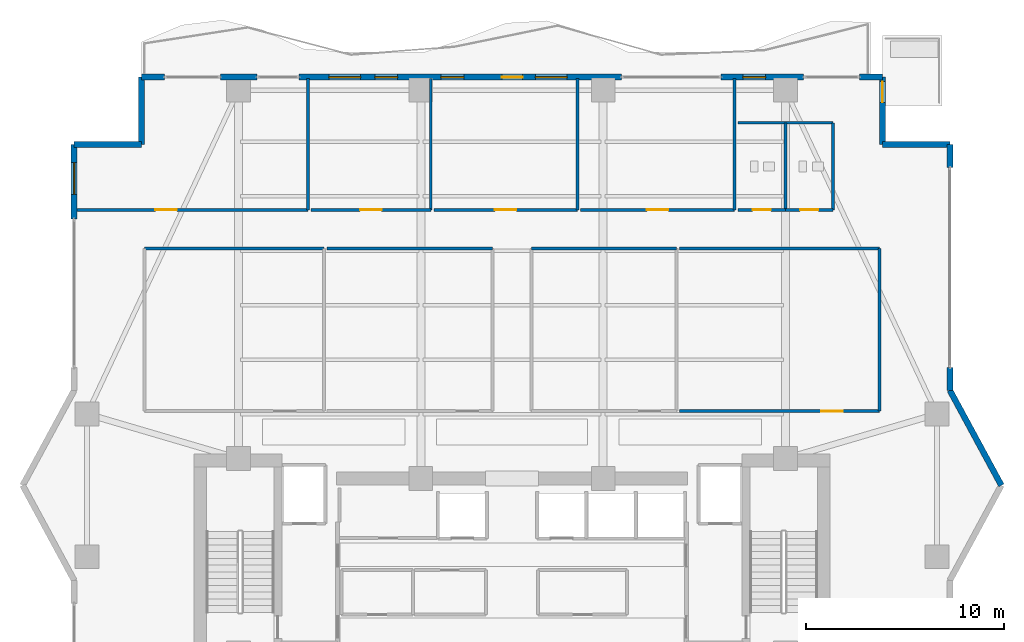
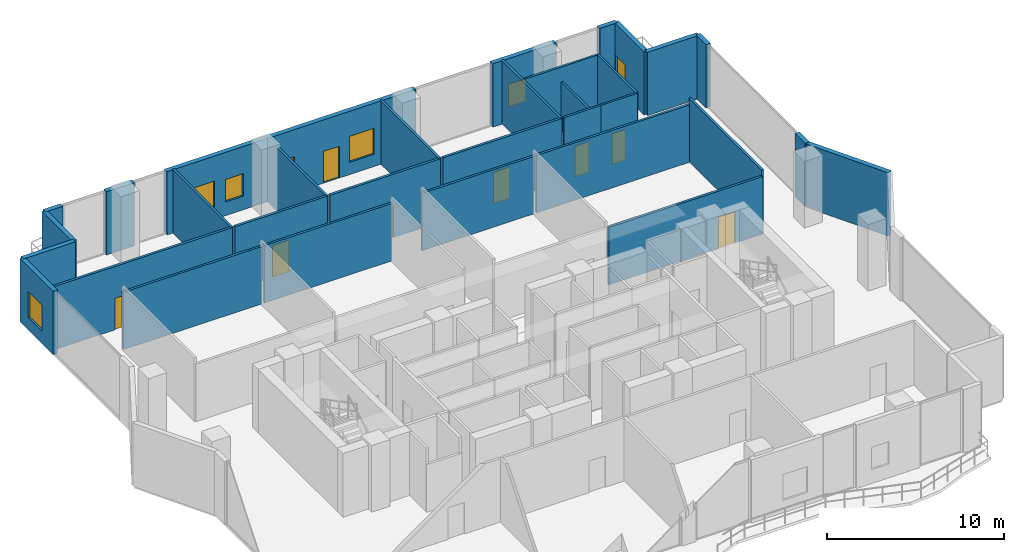
# One storey, part 26 of 31: 32 walls, 9 doors, 6 windows, 15 openings.
"""IFC4 building model written with IfcOpenShell, lengths in metres."""

from ifc_helpers import new_model, si_unit, direction, frame, frame_2d, origin, place, context, subcontext, project, spatial, rectangle, extrude, material, layer, layer_set, type_object, element, fill, save


model = new_model("IFC4")

# Units and contexts
model_context = context("Model", 3, precision=1e-05, world=origin(), true_north=direction((0.0, 1.0)))
body_context = subcontext(model_context, "Body", "Model", "MODEL_VIEW")
ifc_project = project(units=[si_unit("LENGTHUNIT", "METRE"), si_unit("AREAUNIT", "SQUARE_METRE"), si_unit("VOLUMEUNIT", "CUBIC_METRE"), si_unit("PLANEANGLEUNIT", "RADIAN"), si_unit("MASSUNIT", "GRAM", prefix="KILO")], contexts=[model_context])

# Site, building, storey
site_placement = place(None, origin())
site = spatial("IfcSite", under=ifc_project, at=site_placement, CompositionType="ELEMENT")
building_placement = place(site_placement, origin())
building = spatial("IfcBuilding", under=site, at=building_placement, Name="Zuhayl Quay Hotel", CompositionType="ELEMENT")
storey_placement = place(building_placement, frame((0.0, 0.0, 172.800048828125)))
storey = spatial("IfcBuildingStorey", under=building, at=storey_placement, Name="L43", CompositionType="ELEMENT", Elevation=172.800048828125)

# Wall, opening, window
ifc_material_1 = material(Name="Precast concrete C45/55", Category="concrete")
ifc_layer_1 = layer(ifc_material_1, 0.300048828125, Name="Precast concrete C45/55", Category="concrete")
ifc_layer_set_1 = layer_set([ifc_layer_1], Name="Precast concrete C45/55")
wall_type_1 = type_object("IfcWallType", Name="WL_EXT_300", PredefinedType="STANDARD", material=ifc_layer_set_1)
wall_1_placement = place(storey_placement, frame((-22.10009765625, 26.449951171875, 0.0), z_axis=(0.0, 0.0, 1.0), x_axis=(0.0, 1.0, 0.0)))
wall_1 = element("IfcWall", 1, at=wall_1_placement, inside=storey, type_object=wall_type_1, Name="L43 Exterior Precast Wall ENV_L43_E05_EW2", PredefinedType="STANDARD", context=body_context, shape_type="SweptSolid", body=[
    extrude(rectangle(XDim=3.75, YDim=0.300048828125, at=frame_2d((1.875, 0.0))), origin(), (0.0, 0.0, 1.0), 4.3798828125),
])
opening_1_placement = place(wall_1_placement, frame((1.239990234375, 0.0, 0.85009765625)))
opening_1 = element("IfcOpeningElement", 2, at=opening_1_placement, cuts=wall_1, Name="Opening W01", PredefinedType="OPENING", context=body_context, shape_type="SweptSolid", body=[
    extrude(rectangle(XDim=1.60009765625, YDim=1.800048828125, at=frame_2d((0.800048828125, 0.89990234375))), frame((0.0, 0.159912109375, 0.0), z_axis=(0.0, -1.0, 0.0), x_axis=(1.0, 0.0, 0.0)), (0.0, 0.0, 1.0), 0.320068359375),
])
ifc_material_2 = material(Name="Dark Ceramic-Fritted Solar Glass", Category="glass")
window_type_1 = type_object("IfcWindowType", Name="WN_OPERABLE_1600", PartitioningType="DOUBLE_PANEL_VERTICAL", PredefinedType="WINDOW", material=ifc_material_2)
window_1_placement = place(opening_1_placement, origin())
window_1 = element("IfcWindow", 3, at=window_1_placement, inside=storey, type_object=window_type_1, Name="L43 Operable Facade Window 2-1", OverallHeight=1.800048828125, OverallWidth=1.60009765625, PartitioningType="SINGLE_PANEL", PredefinedType="WINDOW", context=body_context, shape_type="SweptSolid", body=[
    extrude(rectangle(XDim=1.60009765625, YDim=1.800048828125, at=frame_2d((0.800048828125, 0.89990234375))), frame((0.0, 0.030029296875, 0.0), z_axis=(0.0, -1.0, 0.0), x_axis=(1.0, 0.0, 0.0)), (0.0, 0.0, 1.0), 0.06005859375),
])
fill(opening_1, window_1)

# Walls
for number, where, z_axis, x_axis, name in (
    (4, (-22.10009765625, 30.199951171875, 0.0), (0.0, 0.0, 1.0), (1.0, 0.0, 0.0), "L43 Exterior Precast Wall ENV_L43_EW06"),
    (5, (-18.699951171875, 30.199951171875, 0.0), (0.0, 0.0, 1.0), (0.0, 1.0, 0.0), "L43 Exterior Precast Wall ENV_L43_EW07"),
):
    element("IfcWall", number, at=place(storey_placement, frame(where, z_axis=z_axis, x_axis=x_axis)), inside=storey, type_object=wall_type_1, Name=name, PredefinedType="STANDARD", context=body_context, shape_type="SweptSolid", body=[
        extrude(rectangle(XDim=3.400146484375, YDim=0.300048828125, at=frame_2d((1.7001953125, 0.0))), origin(), (0.0, 0.0, 1.0), 4.3798828125),
    ])
wall_2_placement = place(storey_placement, frame((-18.699951171875, 33.60009765625, 0.0), z_axis=(0.0, 0.0, 1.0), x_axis=(1.0, 0.0, 0.0)))
element("IfcWall", 6, at=wall_2_placement, inside=storey, type_object=wall_type_1, Name="L43 Exterior Precast Wall ENV_L43_N_EW1", PredefinedType="STANDARD", context=body_context, shape_type="SweptSolid", body=[
    extrude(rectangle(XDim=1.14990234375, YDim=0.300048828125, at=frame_2d((0.574951171875, 0.0))), origin(), (0.0, 0.0, 1.0), 4.3798828125),
])
wall_3_placement = place(storey_placement, frame((-14.719970703125, 33.60009765625, 0.0), z_axis=(0.0, 0.0, 1.0), x_axis=(1.0, 0.0, 0.0)))
element("IfcWall", 7, at=wall_3_placement, inside=storey, type_object=wall_type_1, Name="L43 Exterior Precast Wall ENV_L43_N_EW2", PredefinedType="STANDARD", context=body_context, shape_type="SweptSolid", body=[
    extrude(rectangle(XDim=1.840087890625, YDim=0.300048828125, at=frame_2d((0.919921875, 0.0))), origin(), (0.0, 0.0, 1.0), 4.3798828125),
])

# Wall, openings, door, windows
wall_4_placement = place(storey_placement, frame((-10.75, 33.60009765625, 0.0), z_axis=(0.0, 0.0, 1.0), x_axis=(1.0, 0.0, 0.0)))
wall_4 = element("IfcWall", 8, at=wall_4_placement, inside=storey, type_object=wall_type_1, Name="L43 Exterior Precast Wall ENV_L43_N_EW3", PredefinedType="STANDARD", context=body_context, shape_type="SweptSolid", body=[
    extrude(rectangle(XDim=16.27001953125, YDim=0.300048828125, at=frame_2d((8.135009765625, 0.0))), origin(), (0.0, 0.0, 1.0), 4.3798828125),
])
opening_2_placement = place(wall_4_placement, frame((10.239013671875, 0.0, 0.0)))
opening_2 = element("IfcOpeningElement", 9, at=opening_2_placement, cuts=wall_4, Name="Opening DG1", PredefinedType="OPENING", context=body_context, shape_type="SweptSolid", body=[
    extrude(rectangle(XDim=1.050048828125, YDim=2.199951171875, at=frame_2d((0.52490234375, 1.10009765625))), frame((0.0, 0.159912109375, 0.0), z_axis=(0.0, -1.0, 0.0), x_axis=(1.0, 0.0, 0.0)), (0.0, 0.0, 1.0), 0.320068359375),
])
opening_3_placement = place(wall_4_placement, frame((1.510009765625, 0.0, 0.85009765625)))
opening_3 = element("IfcOpeningElement", 10, at=opening_3_placement, cuts=wall_4, Name="Opening W01", PredefinedType="OPENING", context=body_context, shape_type="SweptSolid", body=[
    extrude(rectangle(XDim=1.60009765625, YDim=1.800048828125, at=frame_2d((0.800048828125, 0.89990234375))), frame((0.0, 0.159912109375, 0.0), z_axis=(0.0, -1.0, 0.0), x_axis=(1.0, 0.0, 0.0)), (0.0, 0.0, 1.0), 0.320068359375),
])
opening_4_placement = place(wall_4_placement, frame((3.830078125, 0.0, 0.949951171875)))
opening_4 = element("IfcOpeningElement", 11, at=opening_4_placement, cuts=wall_4, Name="Opening W01N", PredefinedType="OPENING", context=body_context, shape_type="SweptSolid", body=[
    extrude(rectangle(XDim=1.14990234375, YDim=1.550048828125, at=frame_2d((0.574951171875, 0.77490234375))), frame((0.0, 0.159912109375, 0.0), z_axis=(0.0, -1.0, 0.0), x_axis=(1.0, 0.0, 0.0)), (0.0, 0.0, 1.0), 0.320068359375),
])
opening_5_placement = place(wall_4_placement, frame((7.1650390625, 0.0, 0.949951171875)))
opening_5 = element("IfcOpeningElement", 12, at=opening_5_placement, cuts=wall_4, Name="Opening W01N", PredefinedType="OPENING", context=body_context, shape_type="SweptSolid", body=[
    extrude(rectangle(XDim=1.14990234375, YDim=1.550048828125, at=frame_2d((0.574951171875, 0.77490234375))), frame((0.0, 0.159912109375, 0.0), z_axis=(0.0, -1.0, 0.0), x_axis=(1.0, 0.0, 0.0)), (0.0, 0.0, 1.0), 0.320068359375),
])
opening_6_placement = place(wall_4_placement, frame((11.9345703125, 0.0, 0.85009765625)))
opening_6 = element("IfcOpeningElement", 13, at=opening_6_placement, cuts=wall_4, Name="Opening W01", PredefinedType="OPENING", context=body_context, shape_type="SweptSolid", body=[
    extrude(rectangle(XDim=1.60009765625, YDim=1.800048828125, at=frame_2d((0.800048828125, 0.89990234375))), frame((0.0, 0.159912109375, 0.0), z_axis=(0.0, -1.0, 0.0), x_axis=(1.0, 0.0, 0.0)), (0.0, 0.0, 1.0), 0.320068359375),
])
ifc_material_3 = material(Name="Anodised Aluminium and Dark Solar Glass", Category="aluminium")
door_type_1 = type_object("IfcDoorType", Name="DR_EXT_TERR_1050", OperationType="NOTDEFINED", PredefinedType="DOOR", material=ifc_material_3)
door_1_placement = place(opening_2_placement, origin())
door_1 = element("IfcDoor", 14, at=door_1_placement, inside=storey, type_object=door_type_1, Name="L43 North Rippling Balcony Door", OperationType="SINGLE_SWING_LEFT", OverallHeight=2.199951171875, OverallWidth=1.050048828125, PredefinedType="DOOR", context=body_context, shape_type="SweptSolid", body=[
    extrude(rectangle(XDim=1.050048828125, YDim=2.199951171875, at=frame_2d((0.52490234375, 1.10009765625))), frame((0.0, 0.02490234375, 0.0), z_axis=(0.0, -1.0, 0.0), x_axis=(1.0, 0.0, 0.0)), (0.0, 0.0, 1.0), 0.050048828125),
])
fill(opening_2, door_1)
window_type_2 = type_object("IfcWindowType", Name="WN_NOTCH_1350", PartitioningType="SINGLE_PANEL", PredefinedType="WINDOW", material=ifc_material_2)
window_2_placement = place(opening_4_placement, origin())
window_2 = element("IfcWindow", 15, at=window_2_placement, inside=storey, type_object=window_type_2, Name="L43 Operable Facade Window 3-1", OverallHeight=1.550048828125, OverallWidth=1.14990234375, PartitioningType="SINGLE_PANEL", PredefinedType="WINDOW", context=body_context, shape_type="SweptSolid", body=[
    extrude(rectangle(XDim=1.14990234375, YDim=1.550048828125, at=frame_2d((0.574951171875, 0.77490234375))), frame((0.0, 0.030029296875, 0.0), z_axis=(0.0, -1.0, 0.0), x_axis=(1.0, 0.0, 0.0)), (0.0, 0.0, 1.0), 0.06005859375),
])
fill(opening_4, window_2)
window_3_placement = place(opening_5_placement, origin())
window_3 = element("IfcWindow", 16, at=window_3_placement, inside=storey, type_object=window_type_2, Name="L43 Operable Facade Window 3-2", OverallHeight=1.550048828125, OverallWidth=1.14990234375, PartitioningType="SINGLE_PANEL", PredefinedType="WINDOW", context=body_context, shape_type="SweptSolid", body=[
    extrude(rectangle(XDim=1.14990234375, YDim=1.550048828125, at=frame_2d((0.574951171875, 0.77490234375))), frame((0.0, 0.030029296875, 0.0), z_axis=(0.0, -1.0, 0.0), x_axis=(1.0, 0.0, 0.0)), (0.0, 0.0, 1.0), 0.06005859375),
])
fill(opening_5, window_3)
window_4_placement = place(opening_3_placement, origin())
window_4 = element("IfcWindow", 17, at=window_4_placement, inside=storey, type_object=window_type_1, Name="L43 North Operable Casement Window", OverallHeight=1.800048828125, OverallWidth=1.60009765625, PartitioningType="SINGLE_PANEL", PredefinedType="WINDOW", context=body_context, shape_type="SweptSolid", body=[
    extrude(rectangle(XDim=1.60009765625, YDim=1.800048828125, at=frame_2d((0.800048828125, 0.89990234375))), frame((0.0, 0.030029296875, 0.0), z_axis=(0.0, -1.0, 0.0), x_axis=(1.0, 0.0, 0.0)), (0.0, 0.0, 1.0), 0.06005859375),
])
fill(opening_3, window_4)
window_5_placement = place(opening_6_placement, origin())
window_5 = element("IfcWindow", 18, at=window_5_placement, inside=storey, type_object=window_type_1, Name="L43 Operable Facade Window 3-3", OverallHeight=1.800048828125, OverallWidth=1.60009765625, PartitioningType="SINGLE_PANEL", PredefinedType="WINDOW", context=body_context, shape_type="SweptSolid", body=[
    extrude(rectangle(XDim=1.60009765625, YDim=1.800048828125, at=frame_2d((0.800048828125, 0.89990234375))), frame((0.0, 0.030029296875, 0.0), z_axis=(0.0, -1.0, 0.0), x_axis=(1.0, 0.0, 0.0)), (0.0, 0.0, 1.0), 0.06005859375),
])
fill(opening_6, window_5)

# Wall, opening, window
wall_5_placement = place(storey_placement, frame((10.550048828125, 33.60009765625, 0.0), z_axis=(0.0, 0.0, 1.0), x_axis=(1.0, 0.0, 0.0)))
wall_5 = element("IfcWall", 19, at=wall_5_placement, inside=storey, type_object=wall_type_1, Name="L43 Exterior Precast Wall ENV_L43_N_EW4", PredefinedType="STANDARD", context=body_context, shape_type="SweptSolid", body=[
    extrude(rectangle(XDim=4.169921875, YDim=0.300048828125, at=frame_2d((2.0849609375, 0.0))), origin(), (0.0, 0.0, 1.0), 4.3798828125),
])
opening_7_placement = place(wall_5_placement, frame((1.10498046875, 0.0, 0.949951171875)))
opening_7 = element("IfcOpeningElement", 20, at=opening_7_placement, cuts=wall_5, Name="Opening W01N", PredefinedType="OPENING", context=body_context, shape_type="SweptSolid", body=[
    extrude(rectangle(XDim=1.14990234375, YDim=1.550048828125, at=frame_2d((0.574951171875, 0.77490234375))), frame((0.0, 0.159912109375, 0.0), z_axis=(0.0, -1.0, 0.0), x_axis=(1.0, 0.0, 0.0)), (0.0, 0.0, 1.0), 0.320068359375),
])
window_6_placement = place(opening_7_placement, origin())
window_6 = element("IfcWindow", 21, at=window_6_placement, inside=storey, type_object=window_type_2, Name="L43 Operable Facade Window 4-1", OverallHeight=1.550048828125, OverallWidth=1.14990234375, PartitioningType="SINGLE_PANEL", PredefinedType="WINDOW", context=body_context, shape_type="SweptSolid", body=[
    extrude(rectangle(XDim=1.14990234375, YDim=1.550048828125, at=frame_2d((0.574951171875, 0.77490234375))), frame((0.0, 0.030029296875, 0.0), z_axis=(0.0, -1.0, 0.0), x_axis=(1.0, 0.0, 0.0)), (0.0, 0.0, 1.0), 0.06005859375),
])
fill(opening_7, window_6)

# Wall
wall_6_placement = place(storey_placement, frame((17.550048828125, 33.60009765625, 0.0), z_axis=(0.0, 0.0, 1.0), x_axis=(1.0, 0.0, 0.0)))
element("IfcWall", 22, at=wall_6_placement, inside=storey, type_object=wall_type_1, Name="L43 Exterior Precast Wall ENV_L43_N_EW5", PredefinedType="STANDARD", context=body_context, shape_type="SweptSolid", body=[
    extrude(rectangle(XDim=1.14990234375, YDim=0.300048828125, at=frame_2d((0.574951171875, 0.0))), origin(), (0.0, 0.0, 1.0), 4.3798828125),
])

# Wall, opening, door
wall_7_placement = place(storey_placement, frame((18.699951171875, 33.60009765625, 0.0), z_axis=(0.0, 0.0, 1.0), x_axis=(0.0, -1.0, 0.0)))
wall_7 = element("IfcWall", 23, at=wall_7_placement, inside=storey, type_object=wall_type_1, Name="L43 Exterior Precast Wall ENV_L43_SP_NE", PredefinedType="STANDARD", context=body_context, shape_type="SweptSolid", body=[
    extrude(rectangle(XDim=3.400146484375, YDim=0.300048828125, at=frame_2d((1.7001953125, 0.0))), origin(), (0.0, 0.0, 1.0), 4.3798828125),
])
opening_8_placement = place(wall_7_placement, frame((0.219970703125, 0.0, 0.0)))
opening_8 = element("IfcOpeningElement", 24, at=opening_8_placement, cuts=wall_7, Name="Opening DG1", PredefinedType="OPENING", context=body_context, shape_type="SweptSolid", body=[
    extrude(rectangle(XDim=1.050048828125, YDim=2.199951171875, at=frame_2d((0.52490234375, 1.10009765625))), frame((0.0, 0.159912109375, 0.0), z_axis=(0.0, -1.0, 0.0), x_axis=(1.0, 0.0, 0.0)), (0.0, 0.0, 1.0), 0.320068359375),
])
door_2_placement = place(opening_8_placement, origin())
door_2 = element("IfcDoor", 25, at=door_2_placement, inside=storey, type_object=door_type_1, Name="L43 Spiral Sky-Terrace NE Access Door", OperationType="SINGLE_SWING_LEFT", OverallHeight=2.199951171875, OverallWidth=1.050048828125, PredefinedType="DOOR", context=body_context, shape_type="SweptSolid", body=[
    extrude(rectangle(XDim=1.050048828125, YDim=2.199951171875, at=frame_2d((0.52490234375, 1.10009765625))), frame((0.0, 0.02490234375, 0.0), z_axis=(0.0, -1.0, 0.0), x_axis=(1.0, 0.0, 0.0)), (0.0, 0.0, 1.0), 0.050048828125),
])
fill(opening_8, door_2)

# Walls
wall_8_placement = place(storey_placement, frame((18.699951171875, 30.199951171875, 0.0), z_axis=(0.0, 0.0, 1.0), x_axis=(1.0, 0.0, 0.0)))
element("IfcWall", 26, at=wall_8_placement, inside=storey, type_object=wall_type_1, Name="L43 Exterior Precast Wall ENV_L43_EW10", PredefinedType="STANDARD", context=body_context, shape_type="SweptSolid", body=[
    extrude(rectangle(XDim=3.400146484375, YDim=0.300048828125, at=frame_2d((1.7001953125, 0.0))), origin(), (0.0, 0.0, 1.0), 4.3798828125),
])
for number, where, z_axis, x_axis, name in (
    (27, (22.10009765625, 30.199951171875, 0.0), (0.0, 0.0, 1.0), (0.0, -1.0, 0.0), "L43 Exterior Precast Wall ENV_L43_E11_EW1"),
    (28, (22.10009765625, 18.949951171875, 0.0), (0.0, 0.0, 1.0), (0.0, -1.0, 0.0), "L43 Exterior Precast Wall ENV_L43_E11_EW2"),
):
    element("IfcWall", number, at=place(storey_placement, frame(where, z_axis=z_axis, x_axis=x_axis)), inside=storey, type_object=wall_type_1, Name=name, PredefinedType="STANDARD", context=body_context, shape_type="SweptSolid", body=[
        extrude(rectangle(XDim=1.14990234375, YDim=0.300048828125, at=frame_2d((0.574951171875, 0.0))), origin(), (0.0, 0.0, 1.0), 4.3798828125),
    ])
wall_9_placement = place(storey_placement, frame((22.10009765625, 17.800048828125, 0.0), z_axis=(0.0, 0.0, 1.0), x_axis=(0.476258655584, -0.879305233114, 0.0)))
element("IfcWall", 29, at=wall_9_placement, inside=storey, type_object=wall_type_1, Name="L43 Exterior Precast Wall ENV_L43_EW12", PredefinedType="STANDARD", context=body_context, shape_type="SweptSolid", body=[
    extrude(rectangle(XDim=5.458984375, YDim=0.300048828125, at=frame_2d((2.7294921875, 0.0))), origin(), (0.0, 0.0, 1.0), 4.3798828125),
])
ifc_material_4 = material(Name="Acoustic Gypsum Partition STC-58")
ifc_layer_2 = layer(ifc_material_4, 0.14990234375, Name="Acoustic Gypsum Partition STC-58")
ifc_layer_set_2 = layer_set([ifc_layer_2], Name="Acoustic Gypsum Partition STC-58")
wall_type_2 = type_object("IfcWallType", Name="WL_PART_150", PredefinedType="PARTITIONING", material=ifc_layer_set_2)
for number, where, z_axis, x_axis, name in (
    (30, (-10.300048828125, 26.89990234375, 0.0), (0.0, 0.0, 1.0), (0.0, 1.0, 0.0), "L43 Partition IW_L43_VILLA_1_E"),
    (31, (-4.10009765625, 26.89990234375, 0.0), (0.0, 0.0, 1.0), (0.0, 1.0, 0.0), "L43 Partition IW_L43_VILLA_2_E"),
    (32, (3.300048828125, 26.89990234375, 0.0), (0.0, 0.0, 1.0), (0.0, 1.0, 0.0), "L43 Partition IW_L43_VILLA_3_E"),
    (33, (11.239990234375, 26.89990234375, 0.0), (0.0, 0.0, 1.0), (0.0, 1.0, 0.0), "L43 Partition IW_L43_VILLA_4_E"),
):
    element("IfcWall", number, at=place(storey_placement, frame(where, z_axis=z_axis, x_axis=x_axis)), inside=storey, type_object=wall_type_2, Name=name, PredefinedType="PARTITIONING", context=body_context, shape_type="SweptSolid", body=[
        extrude(rectangle(XDim=6.64013671875, YDim=0.14990234375, at=frame_2d((3.320068359375, 0.0))), origin(), (0.0, 0.0, 1.0), 4.3798828125),
    ])
wall_10_placement = place(storey_placement, frame((-18.550048828125, 24.949951171875, 0.0), z_axis=(0.0, 0.0, 1.0), x_axis=(1.0, 0.0, 0.0)))
element("IfcWall", 34, at=wall_10_placement, inside=storey, type_object=wall_type_2, Name="L43 Partition IW_L43_GYM_W1_N", PredefinedType="PARTITIONING", context=body_context, shape_type="SweptSolid", body=[
    extrude(rectangle(XDim=9.050048828125, YDim=0.14990234375, at=frame_2d((4.52490234375, 0.0))), origin(), (0.0, 0.0, 1.0), 3.973876953125),
])
wall_11_placement = place(storey_placement, frame((-9.340087890625, 24.949951171875, 0.0), z_axis=(0.0, 0.0, 1.0), x_axis=(1.0, 0.0, 0.0)))
element("IfcWall", 35, at=wall_11_placement, inside=storey, type_object=wall_type_2, Name="L43 Partition IW_L43_GYM_W2_N", PredefinedType="PARTITIONING", context=body_context, shape_type="SweptSolid", body=[
    extrude(rectangle(XDim=8.360107421875, YDim=0.14990234375, at=frame_2d((4.18017578125, 0.0))), origin(), (0.0, 0.0, 1.0), 3.973876953125),
])
wall_12_placement = place(storey_placement, frame((0.97998046875, 24.949951171875, 0.0), z_axis=(0.0, 0.0, 1.0), x_axis=(1.0, 0.0, 0.0)))
element("IfcWall", 36, at=wall_12_placement, inside=storey, type_object=wall_type_2, Name="L43 Partition IW_L43_TREAT_1_N", PredefinedType="PARTITIONING", context=body_context, shape_type="SweptSolid", body=[
    extrude(rectangle(XDim=7.320068359375, YDim=0.14990234375, at=frame_2d((3.66015625, 0.0))), origin(), (0.0, 0.0, 1.0), 3.973876953125),
])
wall_13_placement = place(storey_placement, frame((8.4599609375, 24.949951171875, 0.0), z_axis=(0.0, 0.0, 1.0), x_axis=(1.0, 0.0, 0.0)))
element("IfcWall", 37, at=wall_13_placement, inside=storey, type_object=wall_type_2, Name="L43 Partition IW_L43_TREAT_2_N", PredefinedType="PARTITIONING", context=body_context, shape_type="SweptSolid", body=[
    extrude(rectangle(XDim=10.090087890625, YDim=0.14990234375, at=frame_2d((5.044921875, 0.0))), origin(), (0.0, 0.0, 1.0), 3.973876953125),
])
wall_14_placement = place(storey_placement, frame((18.550048828125, 16.75, 0.0), z_axis=(0.0, 0.0, 1.0), x_axis=(0.0, 1.0, 0.0)))
element("IfcWall", 38, at=wall_14_placement, inside=storey, type_object=wall_type_2, Name="L43 Partition IW_L43_TREAT_2_E", PredefinedType="PARTITIONING", context=body_context, shape_type="SweptSolid", body=[
    extrude(rectangle(XDim=8.199951171875, YDim=0.14990234375, at=frame_2d((4.10009765625, 0.0))), origin(), (0.0, 0.0, 1.0), 4.3798828125),
])

# Wall, opening, door
ifc_layer_3 = layer(ifc_material_4, 0.159912109375, Name="Acoustic Gypsum Partition STC-58")
ifc_layer_set_3 = layer_set([ifc_layer_3], Name="Acoustic Gypsum Partition STC-58")
wall_type_3 = type_object("IfcWallType", Name="WL_PART_CORR_160", PredefinedType="PARTITIONING", material=ifc_layer_set_3)
wall_15_placement = place(storey_placement, frame((-22.0400390625, 26.89990234375, 0.0), z_axis=(0.0, 0.0, 1.0), x_axis=(1.0, 0.0, 0.0)))
wall_15 = element("IfcWall", 39, at=wall_15_placement, inside=storey, type_object=wall_type_3, Name="L43 Partition IW_L43_VILLA_1_S", PredefinedType="PARTITIONING", context=body_context, shape_type="SweptSolid", body=[
    extrude(rectangle(XDim=11.739990234375, YDim=0.159912109375, at=frame_2d((5.8701171875, 0.0))), origin(), (0.0, 0.0, 1.0), 4.3798828125),
])
opening_9_placement = place(wall_15_placement, frame((4.0400390625, 0.0, 0.0)))
opening_9 = element("IfcOpeningElement", 40, at=opening_9_placement, cuts=wall_15, Name="Opening D05A", PredefinedType="OPENING", context=body_context, shape_type="SweptSolid", body=[
    extrude(rectangle(XDim=1.080078125, YDim=2.179931640625, at=frame_2d((0.5400390625, 1.08984375))), frame((0.0, 0.08984375, 0.0), z_axis=(0.0, -1.0, 0.0), x_axis=(1.0, 0.0, 0.0)), (0.0, 0.0, 1.0), 0.179931640625),
])
ifc_material_5 = material(Name="Solid Walnut Acoustic Fire Door")
door_type_2 = type_object("IfcDoorType", Name="DR_INT_1100", OperationType="NOTDEFINED", PredefinedType="DOOR", material=ifc_material_5)
door_3_placement = place(opening_9_placement, origin())
door_3 = element("IfcDoor", 41, at=door_3_placement, inside=storey, type_object=door_type_2, Name="L43 Seaward Spa Treatment Room A Door", OperationType="SINGLE_SWING_RIGHT", OverallHeight=2.179931640625, OverallWidth=1.080078125, PredefinedType="DOOR", context=body_context, shape_type="SweptSolid", body=[
    extrude(rectangle(XDim=1.080078125, YDim=2.179931640625, at=frame_2d((0.5400390625, 1.08984375))), frame((0.0, 0.02490234375, 0.0), z_axis=(0.0, -1.0, 0.0), x_axis=(1.0, 0.0, 0.0)), (0.0, 0.0, 1.0), 0.050048828125),
])
fill(opening_9, door_3)

wall_16_placement = place(storey_placement, frame((-10.139892578125, 26.89990234375, 0.0), z_axis=(0.0, 0.0, 1.0), x_axis=(1.0, 0.0, 0.0)))
wall_16 = element("IfcWall", 42, at=wall_16_placement, inside=storey, type_object=wall_type_3, Name="L43 Partition IW_L43_VILLA_2_S", PredefinedType="PARTITIONING", context=body_context, shape_type="SweptSolid", body=[
    extrude(rectangle(XDim=6.039794921875, YDim=0.159912109375, at=frame_2d((3.02001953125, 0.0))), origin(), (0.0, 0.0, 1.0), 4.3798828125),
])
opening_10_placement = place(wall_16_placement, frame((2.47998046875, 0.0, 0.0)))
opening_10 = element("IfcOpeningElement", 43, at=opening_10_placement, cuts=wall_16, Name="Opening D05A", PredefinedType="OPENING", context=body_context, shape_type="SweptSolid", body=[
    extrude(rectangle(XDim=1.080078125, YDim=2.179931640625, at=frame_2d((0.5400390625, 1.08984375))), frame((0.0, 0.08984375, 0.0), z_axis=(0.0, -1.0, 0.0), x_axis=(1.0, 0.0, 0.0)), (0.0, 0.0, 1.0), 0.179931640625),
])
door_4_placement = place(opening_10_placement, origin())
door_4 = element("IfcDoor", 44, at=door_4_placement, inside=storey, type_object=door_type_2, Name="L43 Seaward Spa Treatment Room B Door", OperationType="SINGLE_SWING_LEFT", OverallHeight=2.179931640625, OverallWidth=1.080078125, PredefinedType="DOOR", context=body_context, shape_type="SweptSolid", body=[
    extrude(rectangle(XDim=1.080078125, YDim=2.179931640625, at=frame_2d((0.5400390625, 1.08984375))), frame((0.0, 0.02490234375, 0.0), z_axis=(0.0, -1.0, 0.0), x_axis=(1.0, 0.0, 0.0)), (0.0, 0.0, 1.0), 0.050048828125),
])
fill(opening_10, door_4)

wall_17_placement = place(storey_placement, frame((-3.93994140625, 26.89990234375, 0.0), z_axis=(0.0, 0.0, 1.0), x_axis=(1.0, 0.0, 0.0)))
wall_17 = element("IfcWall", 45, at=wall_17_placement, inside=storey, type_object=wall_type_3, Name="L43 Partition IW_L43_VILLA_3_S", PredefinedType="PARTITIONING", context=body_context, shape_type="SweptSolid", body=[
    extrude(rectangle(XDim=7.239990234375, YDim=0.159912109375, at=frame_2d((3.6201171875, 0.0))), origin(), (0.0, 0.0, 1.0), 4.3798828125),
])
opening_11_placement = place(wall_17_placement, frame((3.080078125, 0.0, 0.0)))
opening_11 = element("IfcOpeningElement", 46, at=opening_11_placement, cuts=wall_17, Name="Opening D05A", PredefinedType="OPENING", context=body_context, shape_type="SweptSolid", body=[
    extrude(rectangle(XDim=1.080078125, YDim=2.179931640625, at=frame_2d((0.5400390625, 1.08984375))), frame((0.0, 0.08984375, 0.0), z_axis=(0.0, -1.0, 0.0), x_axis=(1.0, 0.0, 0.0)), (0.0, 0.0, 1.0), 0.179931640625),
])
door_5_placement = place(opening_11_placement, origin())
door_5 = element("IfcDoor", 47, at=door_5_placement, inside=storey, type_object=door_type_2, Name="L43 Seaward Yoga Studio Door", OperationType="SINGLE_SWING_RIGHT", OverallHeight=2.179931640625, OverallWidth=1.080078125, PredefinedType="DOOR", context=body_context, shape_type="SweptSolid", body=[
    extrude(rectangle(XDim=1.080078125, YDim=2.179931640625, at=frame_2d((0.5400390625, 1.08984375))), frame((0.0, 0.02490234375, 0.0), z_axis=(0.0, -1.0, 0.0), x_axis=(1.0, 0.0, 0.0)), (0.0, 0.0, 1.0), 0.050048828125),
])
fill(opening_11, door_5)

wall_18_placement = place(storey_placement, frame((3.4599609375, 26.89990234375, 0.0), z_axis=(0.0, 0.0, 1.0), x_axis=(1.0, 0.0, 0.0)))
wall_18 = element("IfcWall", 48, at=wall_18_placement, inside=storey, type_object=wall_type_3, Name="L43 Partition IW_L43_VILLA_4_S", PredefinedType="PARTITIONING", context=body_context, shape_type="SweptSolid", body=[
    extrude(rectangle(XDim=7.780029296875, YDim=0.159912109375, at=frame_2d((3.89013671875, 0.0))), origin(), (0.0, 0.0, 1.0), 4.3798828125),
])
opening_12_placement = place(wall_18_placement, frame((3.35009765625, 0.0, 0.0)))
opening_12 = element("IfcOpeningElement", 49, at=opening_12_placement, cuts=wall_18, Name="Opening D05A", PredefinedType="OPENING", context=body_context, shape_type="SweptSolid", body=[
    extrude(rectangle(XDim=1.080078125, YDim=2.179931640625, at=frame_2d((0.5400390625, 1.08984375))), frame((0.0, 0.08984375, 0.0), z_axis=(0.0, -1.0, 0.0), x_axis=(1.0, 0.0, 0.0)), (0.0, 0.0, 1.0), 0.179931640625),
])
door_6_placement = place(opening_12_placement, origin())
door_6 = element("IfcDoor", 50, at=door_6_placement, inside=storey, type_object=door_type_2, Name="L43 Pilates Reformer Studio Door", OperationType="SINGLE_SWING_LEFT", OverallHeight=2.179931640625, OverallWidth=1.080078125, PredefinedType="DOOR", context=body_context, shape_type="SweptSolid", body=[
    extrude(rectangle(XDim=1.080078125, YDim=2.179931640625, at=frame_2d((0.5400390625, 1.08984375))), frame((0.0, 0.02490234375, 0.0), z_axis=(0.0, -1.0, 0.0), x_axis=(1.0, 0.0, 0.0)), (0.0, 0.0, 1.0), 0.050048828125),
])
fill(opening_12, door_6)

wall_19_placement = place(storey_placement, frame((8.4599609375, 16.75, 0.0), z_axis=(0.0, 0.0, 1.0), x_axis=(1.0, 0.0, 0.0)))
wall_19 = element("IfcWall", 51, at=wall_19_placement, inside=storey, type_object=wall_type_3, Name="L43 Partition IW_L43_TREAT_2_S", PredefinedType="PARTITIONING", context=body_context, shape_type="SweptSolid", body=[
    extrude(rectangle(XDim=10.090087890625, YDim=0.159912109375, at=frame_2d((5.044921875, 0.0))), origin(), (0.0, 0.0, 1.0), 3.973876953125),
])
opening_13_placement = place(wall_19_placement, frame((7.14990234375, 0.0, 0.0)))
opening_13 = element("IfcOpeningElement", 52, at=opening_13_placement, cuts=wall_19, Name="Opening D05A", PredefinedType="OPENING", context=body_context, shape_type="SweptSolid", body=[
    extrude(rectangle(XDim=1.080078125, YDim=2.179931640625, at=frame_2d((0.5400390625, 1.08984375))), frame((0.0, 0.08984375, 0.0), z_axis=(0.0, -1.0, 0.0), x_axis=(1.0, 0.0, 0.0)), (0.0, 0.0, 1.0), 0.179931640625),
])
door_7_placement = place(opening_13_placement, origin())
door_7 = element("IfcDoor", 53, at=door_7_placement, inside=storey, type_object=door_type_2, Name="L43 Couples Massage Spa Room Door", OperationType="SINGLE_SWING_LEFT", OverallHeight=2.179931640625, OverallWidth=1.080078125, PredefinedType="DOOR", context=body_context, shape_type="SweptSolid", body=[
    extrude(rectangle(XDim=1.080078125, YDim=2.179931640625, at=frame_2d((0.5400390625, 1.08984375))), frame((0.0, 0.02490234375, 0.0), z_axis=(0.0, -1.0, 0.0), x_axis=(1.0, 0.0, 0.0)), (0.0, 0.0, 1.0), 0.050048828125),
])
fill(opening_13, door_7)

ifc_material_6 = material(Name="Moisture-Resistant Sanitarychase Gypsum")
ifc_layer_4 = layer(ifc_material_6, 0.135009765625, Name="Moisture-Resistant Sanitarychase Gypsum")
ifc_layer_set_4 = layer_set([ifc_layer_4], Name="Moisture-Resistant Sanitarychase Gypsum")
wall_type_4 = type_object("IfcWallType", Name="WL_PART_PLUMB_150", PredefinedType="PLUMBINGWALL", material=ifc_layer_set_4)
wall_20_placement = place(storey_placement, frame((11.39990234375, 26.89990234375, 0.0), z_axis=(0.0, 0.0, 1.0), x_axis=(1.0, 0.0, 0.0)))
wall_20 = element("IfcWall", 54, at=wall_20_placement, inside=storey, type_object=wall_type_4, Name="L43 Partition IW_L43_SWC_PUB_F", PredefinedType="PLUMBINGWALL", context=body_context, shape_type="SweptSolid", body=[
    extrude(rectangle(XDim=2.400146484375, YDim=0.135009765625, at=frame_2d((1.2001953125, 0.0))), origin(), (0.0, 0.0, 1.0), 4.3798828125),
])
opening_14_placement = place(wall_20_placement, frame((0.739990234375, 0.0, 0.0)))
opening_14 = element("IfcOpeningElement", 55, at=opening_14_placement, cuts=wall_20, Name="Opening D05", PredefinedType="OPENING", context=body_context, shape_type="SweptSolid", body=[
    extrude(rectangle(XDim=0.919921875, YDim=2.1201171875, at=frame_2d((0.4599609375, 1.06005859375))), frame((0.0, 0.077392578125, 0.0), z_axis=(0.0, -1.0, 0.0), x_axis=(1.0, 0.0, 0.0)), (0.0, 0.0, 1.0), 0.155029296875),
])
door_type_3 = type_object("IfcDoorType", Name="DR_INT_950", OperationType="NOTDEFINED", PredefinedType="DOOR", material=ifc_material_5)
door_8_placement = place(opening_14_placement, origin())
door_8 = element("IfcDoor", 56, at=door_8_placement, inside=storey, type_object=door_type_3, Name="L43 Public Restroom Door", OperationType="SINGLE_SWING_RIGHT", OverallHeight=2.1201171875, OverallWidth=0.919921875, PredefinedType="DOOR", context=body_context, shape_type="SweptSolid", body=[
    extrude(rectangle(XDim=0.919921875, YDim=2.1201171875, at=frame_2d((0.4599609375, 1.06005859375))), frame((0.0, 0.02490234375, 0.0), z_axis=(0.0, -1.0, 0.0), x_axis=(1.0, 0.0, 0.0)), (0.0, 0.0, 1.0), 0.050048828125),
])
fill(opening_14, door_8)

wall_21_placement = place(storey_placement, frame((13.800048828125, 26.89990234375, 0.0), z_axis=(0.0, 0.0, 1.0), x_axis=(1.0, 0.0, 0.0)))
wall_21 = element("IfcWall", 57, at=wall_21_placement, inside=storey, type_object=wall_type_4, Name="L43 Partition IW_L43_SWC_ACC_F", PredefinedType="PLUMBINGWALL", context=body_context, shape_type="SweptSolid", body=[
    extrude(rectangle(XDim=2.39990234375, YDim=0.135009765625, at=frame_2d((1.199951171875, 0.0))), origin(), (0.0, 0.0, 1.0), 4.3798828125),
])
opening_15_placement = place(wall_21_placement, frame((0.739990234375, 0.0, 0.0)))
opening_15 = element("IfcOpeningElement", 58, at=opening_15_placement, cuts=wall_21, Name="Opening D05", PredefinedType="OPENING", context=body_context, shape_type="SweptSolid", body=[
    extrude(rectangle(XDim=0.919921875, YDim=2.1201171875, at=frame_2d((0.4599609375, 1.06005859375))), frame((0.0, 0.077392578125, 0.0), z_axis=(0.0, -1.0, 0.0), x_axis=(1.0, 0.0, 0.0)), (0.0, 0.0, 1.0), 0.155029296875),
])
door_9_placement = place(opening_15_placement, origin())
door_9 = element("IfcDoor", 59, at=door_9_placement, inside=storey, type_object=door_type_3, Name="L43 Accessible Wheelchair WC Door", OperationType="SINGLE_SWING_LEFT", OverallHeight=2.1201171875, OverallWidth=0.919921875, PredefinedType="DOOR", context=body_context, shape_type="SweptSolid", body=[
    extrude(rectangle(XDim=0.919921875, YDim=2.1201171875, at=frame_2d((0.4599609375, 1.06005859375))), frame((0.0, 0.02490234375, 0.0), z_axis=(0.0, -1.0, 0.0), x_axis=(1.0, 0.0, 0.0)), (0.0, 0.0, 1.0), 0.050048828125),
])
fill(opening_15, door_9)

# Walls
wall_22_placement = place(storey_placement, frame((11.39990234375, 31.300048828125, 0.0), z_axis=(0.0, 0.0, 1.0), x_axis=(1.0, 0.0, 0.0)))
element("IfcWall", 60, at=wall_22_placement, inside=storey, type_object=wall_type_4, Name="L43 Partition IW_L43_SWC_BK", PredefinedType="PLUMBINGWALL", context=body_context, shape_type="SweptSolid", body=[
    extrude(rectangle(XDim=4.800048828125, YDim=0.135009765625, at=frame_2d((2.39990234375, 0.0))), origin(), (0.0, 0.0, 1.0), 4.3798828125),
])
wall_23_placement = place(storey_placement, frame((16.199951171875, 26.89990234375, 0.0), z_axis=(0.0, 0.0, 1.0), x_axis=(0.0, 1.0, 0.0)))
element("IfcWall", 61, at=wall_23_placement, inside=storey, type_object=wall_type_4, Name="L43 Partition IW_L43_SWC_E", PredefinedType="PLUMBINGWALL", context=body_context, shape_type="SweptSolid", body=[
    extrude(rectangle(XDim=4.400146484375, YDim=0.135009765625, at=frame_2d((2.2001953125, 0.0))), origin(), (0.0, 0.0, 1.0), 4.3798828125),
])
wall_24_placement = place(storey_placement, frame((13.800048828125, 26.89990234375, 0.0), z_axis=(0.0, 0.0, 1.0), x_axis=(0.0, 1.0, 0.0)))
element("IfcWall", 62, at=wall_24_placement, inside=storey, type_object=wall_type_4, Name="L43 Partition IW_L43_SWC_DIV", PredefinedType="PLUMBINGWALL", context=body_context, shape_type="SweptSolid", body=[
    extrude(rectangle(XDim=4.400146484375, YDim=0.135009765625, at=frame_2d((2.2001953125, 0.0))), origin(), (0.0, 0.0, 1.0), 3.368896484375),
])

save(model, "model.ifc")
